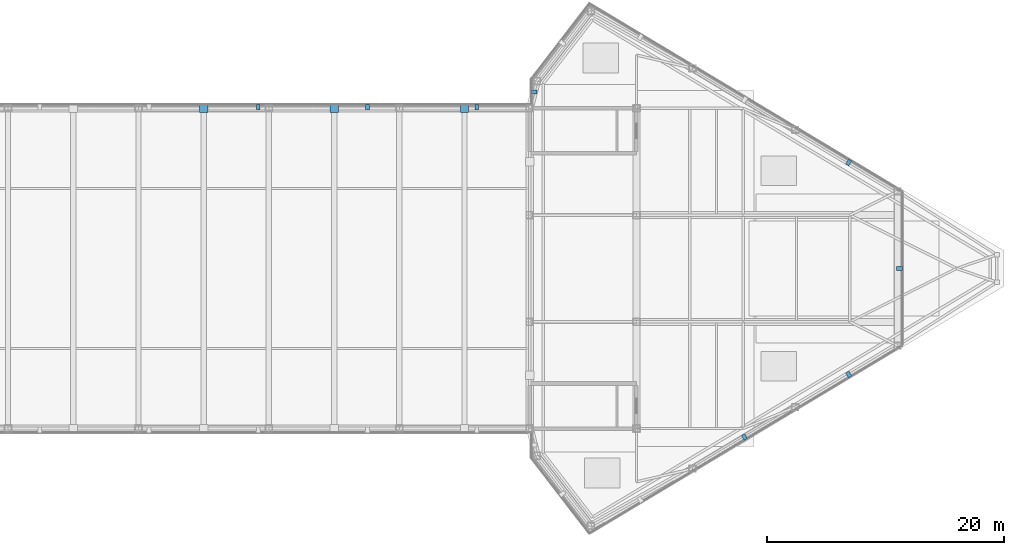
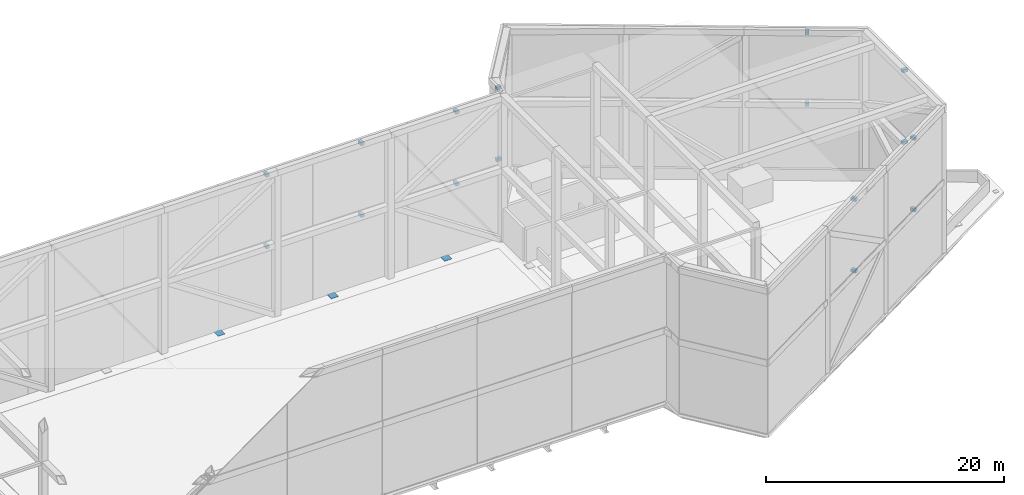
# One storey, part 13 of 16: 19 discrete accessories.
"""IFC4 building model written with IfcOpenShell, lengths in metres."""

from ifc_helpers import new_model, si_unit, direction, frame, origin, origin_2d, place, context, subcontext, project, spatial, rectangle, extrude, source, transform, mapped, material, type_object, type_shapes, element, save


model = new_model("IFC4")

# Units and contexts
model_context = context("Model", 3, precision=1e-05, world=origin(), true_north=direction((0.0, 1.0)))
body_context = subcontext(model_context, "Body", "Model", "MODEL_VIEW")
ifc_project = project(units=[si_unit("LENGTHUNIT", "METRE"), si_unit("AREAUNIT", "SQUARE_METRE"), si_unit("VOLUMEUNIT", "CUBIC_METRE"), si_unit("PLANEANGLEUNIT", "RADIAN"), si_unit("MASSUNIT", "GRAM", prefix="KILO")], contexts=[model_context])

# Site, building, storey
site_placement = place(None, origin())
site = spatial("IfcSite", under=ifc_project, at=site_placement, CompositionType="ELEMENT")
building_placement = place(site_placement, origin())
building = spatial("IfcBuilding", under=site, at=building_placement, Name="Seokmaru Belvedere", CompositionType="ELEMENT")
storey_placement = place(building_placement, frame((0.0, 0.0, 279.0)))
storey = spatial("IfcBuildingStorey", under=building, at=storey_placement, Name="RF", CompositionType="ELEMENT", Elevation=279.0)

# Discrete accessories
ifc_material_1 = material(Name="Stainless Steel 316", Category="steel")
discrete_accessory_type_1 = type_object("IfcDiscreteAccessoryType", Name="Stainless Steel Facade Mounting Bracket", PredefinedType="BRACKET", material=ifc_material_1)
shared_shape_1 = source(origin(), body_context, "Body", "SweptSolid", [
    extrude(rectangle(XDim=0.320068359375, YDim=0.47998046875, at=origin_2d()), origin(), (0.0, 0.0, 1.0), 0.300048828125),
])
type_shapes(discrete_accessory_type_1, [shared_shape_1])
for number, where, z_axis, x_axis, name in (
    (1, (45.609375, -14.214599609375, 7.14990234375), (0.0, 0.0, 1.0), (0.857492535386, 0.514496405972, 0.0), "RF Crown Screen Tie Bracket 10-1"),
    (2, (45.609375, -14.214599609375, 14.5), (0.0, 0.0, 1.0), (0.857492535386, 0.514496405972, 0.0), "RF Crown Screen Tie Bracket 10-2"),
    (3, (54.40087890625, -8.939697265625, 7.14990234375), (0.0, 0.0, 1.0), (0.857492535386, 0.514496405972, 0.0), "RF Crown Screen Tie Bracket 11-1"),
    (4, (54.40087890625, -8.939697265625, 14.5), (0.0, 0.0, 1.0), (0.857492535386, 0.514496405972, 0.0), "RF Crown Screen Tie Bracket 11-2"),
    (5, (58.68994140625, 0.0, 7.14990234375), (0.0, 0.0, 1.0), (0.0, 1.0, 0.0), "RF Crown Screen Tie Bracket 12-1"),
    (6, (58.68994140625, 0.0, 14.5), (0.0, 0.0, 1.0), (0.0, 1.0, 0.0), "RF Crown Screen Tie Bracket 12-2"),
    (7, (54.40087890625, 8.939697265625, 7.14990234375), (0.0, 0.0, 1.0), (-0.857492535386, 0.514496405972, 0.0), "RF Crown Screen Tie Bracket 13-1"),
    (8, (54.40087890625, 8.939697265625, 14.5), (0.0, 0.0, 1.0), (-0.857492535386, 0.514496405972, 0.0), "RF Crown Screen Tie Bracket 13-2"),
    (9, (27.860107421875, 14.88623046875, 7.14990234375), (0.0, 0.0, 1.0), (0.0, -1.0, 0.0), "RF Crown Screen Tie Bracket 17-1"),
    (10, (27.860107421875, 14.88623046875, 14.5), (0.0, 0.0, 1.0), (0.0, -1.0, 0.0), "RF Crown Screen Tie Bracket 17-2"),
    (11, (23.033203125, 13.60009765625, 7.14990234375), (0.0, 0.0, 1.0), (-1.0, 0.0, 0.0), "RF Crown Screen Tie Bracket 18-1"),
    (12, (23.033203125, 13.60009765625, 14.5), (0.0, 0.0, 1.0), (-1.0, 0.0, 0.0), "RF Crown Screen Tie Bracket 18-2"),
    (13, (13.820068359375, 13.60009765625, 7.14990234375), (0.0, 0.0, 1.0), (-1.0, 0.0, 0.0), "RF Crown Screen Tie Bracket 19-1"),
    (14, (13.820068359375, 13.60009765625, 14.5), (0.0, 0.0, 1.0), (-1.0, 0.0, 0.0), "RF Crown Screen Tie Bracket 19-2"),
    (15, (4.606689453125, 13.60009765625, 7.14990234375), (0.0, 0.0, 1.0), (-1.0, 0.0, 0.0), "RF Crown Screen Tie Bracket 20-1"),
    (16, (4.606689453125, 13.60009765625, 14.5), (0.0, 0.0, 1.0), (-1.0, 0.0, 0.0), "RF Crown Screen Tie Bracket 20-2"),
):
    element("IfcDiscreteAccessory", number, at=place(storey_placement, frame(where, z_axis=z_axis, x_axis=x_axis)), inside=storey, type_object=discrete_accessory_type_1, Name=name, PredefinedType="BRACKET", context=body_context, shape_type="MappedRepresentation", body=[
        mapped(shared_shape_1, transform((0.0, 0.0, 0.0), scale=1.0)),
    ])
ifc_material_2 = material(Name="Steel SM355 (355 MPa)", Category="steel")
discrete_accessory_type_2 = type_object("IfcDiscreteAccessoryType", Name="End Cap Plate BOX-700x700x30", PredefinedType="USERDEFINED", material=ifc_material_2)
shared_shape_2 = source(origin(), body_context, "Body", "SweptSolid", [
    extrude(rectangle(XDim=0.699951171875, YDim=0.699951171875, at=origin_2d()), origin(), (0.0, 0.0, 1.0), 0.030029296875),
])
type_shapes(discrete_accessory_type_2, [shared_shape_2])
for number, where, z_axis, x_axis, name in (
    (17, (0.0, 13.5, 0.0), (0.0, 0.0, 1.0), (1.0, 0.0, 0.0), "L72 Column BRN_5 End Cap Plate Top"),
    (18, (11.0, 13.5, 0.0), (0.0, 0.0, 1.0), (1.0, 0.0, 0.0), "L72 Column BRN_7 End Cap Plate Top"),
    (19, (22.0, 13.5, 0.0), (0.0, 0.0, 1.0), (1.0, 0.0, 0.0), "L72 Column BRN_9 End Cap Plate Top"),
):
    element("IfcDiscreteAccessory", number, at=place(storey_placement, frame(where, z_axis=z_axis, x_axis=x_axis)), inside=storey, type_object=discrete_accessory_type_2, Name=name, ObjectType="END_CAP_PLATE", PredefinedType="USERDEFINED", context=body_context, shape_type="MappedRepresentation", body=[
        mapped(shared_shape_2, transform((0.0, 0.0, 0.0), scale=1.0)),
    ])

save(model, "model.ifc")
